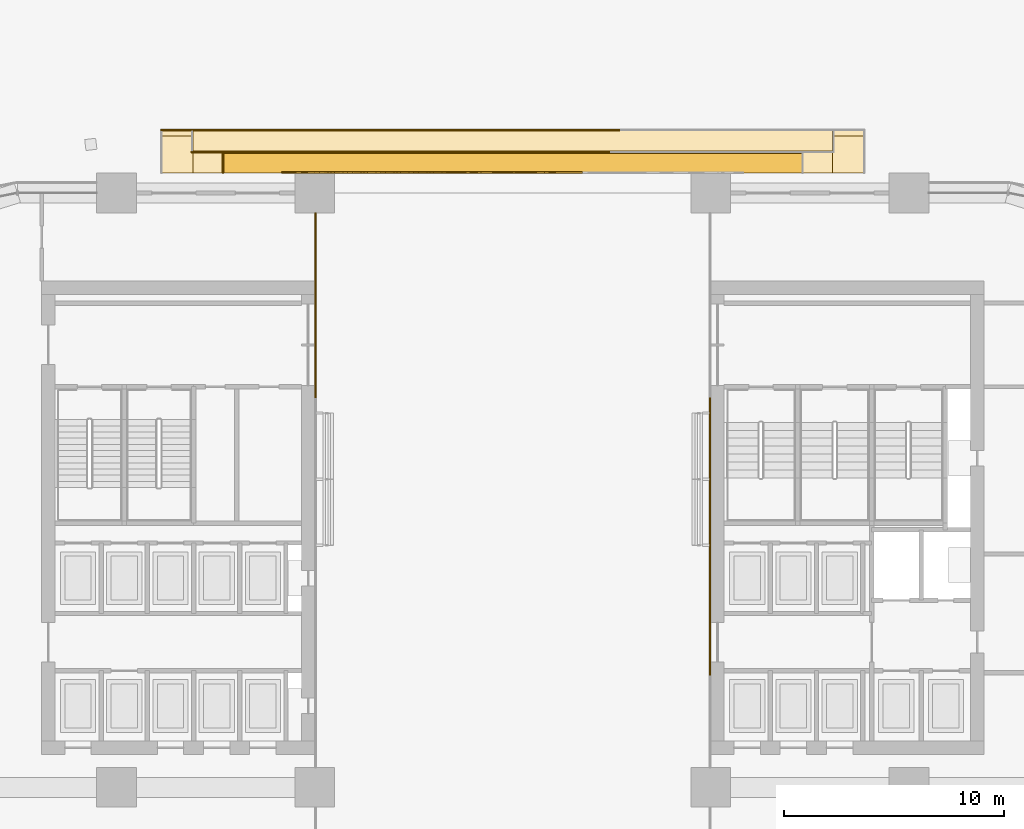
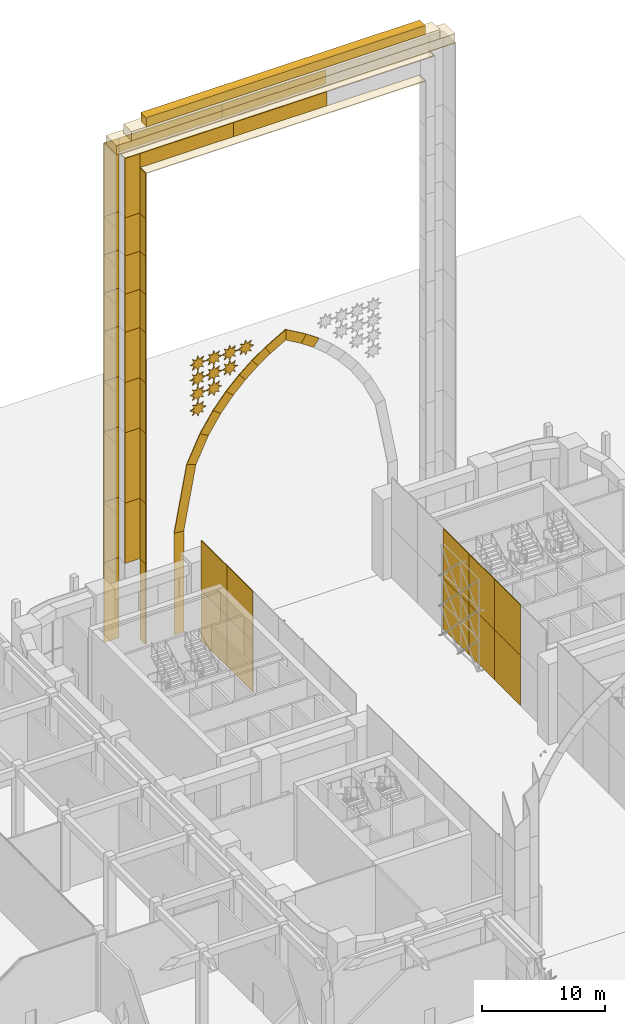
# One storey, part 59 of 64: 67 coverings.
"""IFC4 building model written with IfcOpenShell, lengths in metres."""

import ifcopenshell
import ifcopenshell.guid

model = None  # the IFC model being written
_history = None  # IfcOwnerHistory: only IFC2X3 demands one
_inside = {}  # id of a spatial element -> (the spatial element, [elements in it])
_under = {}  # id of a project, library or spatial element -> (it, [spatial elements below it])
_declared = {}  # id of a project -> (the project, [libraries it declares])
_typed = {}  # id of a type object -> (the type object, [elements of that type])
_made_of = {}  # id of a material, layer set ... -> (it, [elements and type objects made of it])


def new_model(schema):
    """Start an empty IFC model of exactly this schema.

    Asked for "IFC4X3", IfcOpenShell would pick the latest addendum, in which some entities
    have other attributes; the version numbers below select the first issue.
    IFC2X3 requires an IfcOwnerHistory on every rooted entity: one is made here for all.
    """
    global model, _history
    if schema == "IFC4X3":
        model = ifcopenshell.file(schema_version=(4, 3, 0, 0))
    else:
        model = ifcopenshell.file(schema=schema)
    _inside.clear()
    _under.clear()
    _declared.clear()
    _typed.clear()
    _made_of.clear()
    _history = None
    if model.schema == "IFC2X3":
        org = make("IfcOrganization", Name="unknown")
        user = make(
            "IfcPersonAndOrganization",
            ThePerson=make("IfcPerson", FamilyName="unknown"),
            TheOrganization=org,
        )
        app = make(
            "IfcApplication",
            ApplicationDeveloper=org,
            Version="unknown",
            ApplicationFullName="unknown",
            ApplicationIdentifier="unknown",
        )
        _history = make(
            "IfcOwnerHistory",
            OwningUser=user,
            OwningApplication=app,
            ChangeAction="ADDED",
            CreationDate=0,
        )
    return model


def make(cls, **values):
    """One entity of the class cls with the attributes given. An attribute that is None is left unset."""
    return model.create_entity(
        cls, **{name: value for name, value in values.items() if value is not None}
    )


def rooted(cls, **values):
    """An entity with a GlobalId (a new one), such as an element, a storey or a relation."""
    return make(cls, GlobalId=ifcopenshell.guid.new(), OwnerHistory=_history, **values)


def si_unit(unit_type, name, prefix=None):
    """IfcSIUnit, for example si_unit("LENGTHUNIT", "METRE", prefix="MILLI")."""
    return make("IfcSIUnit", UnitType=unit_type, Prefix=prefix, Name=name)


def assignment(units):
    """IfcUnitAssignment: the units of a project."""
    return None if units is None else make("IfcUnitAssignment", Units=units)


def point(xyz):
    """IfcCartesianPoint."""
    return None if xyz is None else make("IfcCartesianPoint", Coordinates=xyz)


def direction(xyz):
    """IfcDirection."""
    return None if xyz is None else make("IfcDirection", DirectionRatios=xyz)


def frame(location, z_axis=None, x_axis=None):
    """IfcAxis2Placement3D, a coordinate frame: its origin and axes. An axis left out is left unset."""
    return make(
        "IfcAxis2Placement3D",
        Location=point(location),
        Axis=direction(z_axis),
        RefDirection=direction(x_axis),
    )


def frame_2d(location, x_axis=None):
    """IfcAxis2Placement2D, a coordinate frame in the plane: its origin and x axis."""
    return make(
        "IfcAxis2Placement2D", Location=point(location), RefDirection=direction(x_axis)
    )


def origin():
    """The frame at (0, 0, 0) with its axes left unset."""
    return frame((0.0, 0.0, 0.0))


def origin_2d():
    """The frame at (0, 0) in the plane with its x axis left unset."""
    return frame_2d((0.0, 0.0))


def place(relative_to, where):
    """IfcLocalPlacement: puts the frame where relative to a parent placement (None: the world)."""
    return make(
        "IfcLocalPlacement", PlacementRelTo=relative_to, RelativePlacement=where
    )


def context(
    kind, dimensions, precision=None, world=None, true_north=None, identifier=None
):
    """IfcGeometricRepresentationContext, for example the 3D "Model" context."""
    return make(
        "IfcGeometricRepresentationContext",
        ContextIdentifier=identifier,
        ContextType=kind,
        CoordinateSpaceDimension=dimensions,
        Precision=precision,
        WorldCoordinateSystem=world,
        TrueNorth=true_north,
    )


def subcontext(parent, identifier, kind, view, scale=None):
    """IfcGeometricRepresentationSubContext, for example "Body" below "Model"."""
    return make(
        "IfcGeometricRepresentationSubContext",
        ContextIdentifier=identifier,
        ContextType=kind,
        ParentContext=parent,
        TargetScale=scale,
        TargetView=view,
    )


def project(units=None, contexts=None):
    """IfcProject with its units and contexts."""
    return rooted(
        "IfcProject",
        Name="project",
        RepresentationContexts=contexts,
        UnitsInContext=assignment(units),
    )


def spatial(cls, under=None, at=None, **own):
    """A site, building, storey or space (cls), placed at a placement, below another one or the project."""
    s = rooted(cls, ObjectPlacement=at, **own)
    if under is not None:
        _under.setdefault(under.id(), (under, []))[1].append(s)
    return s


def polyline(points):
    """IfcPolyline through the points."""
    return make("IfcPolyline", Points=[point(p) for p in points])


def profile(cls, at=None, kind="AREA", **sizes):
    """A parametric profile (cls). Its sizes go by their IFC names, for example OverallWidth=200.0."""
    return make(cls, ProfileType=kind, Position=at, **sizes)


def rectangle(**sizes):
    """IfcRectangleProfileDef."""
    return profile("IfcRectangleProfileDef", **sizes)


def outline(outer, holes=None, kind="AREA"):
    """IfcArbitraryClosedProfileDef: a profile drawn as a closed curve; with holes, ...WithVoids."""
    if holes is None:
        return make("IfcArbitraryClosedProfileDef", ProfileType=kind, OuterCurve=outer)
    return make(
        "IfcArbitraryProfileDefWithVoids",
        ProfileType=kind,
        OuterCurve=outer,
        InnerCurves=holes,
    )


def extrude(swept, where, along, depth):
    """IfcExtrudedAreaSolid: the profile swept, set in the frame where, extruded along a direction by depth."""
    return make(
        "IfcExtrudedAreaSolid",
        SweptArea=swept,
        Position=where,
        ExtrudedDirection=direction(along),
        Depth=depth,
    )


def shape(context_of_items, identifier, shape_type, items):
    """IfcShapeRepresentation: the items that make up one representation, for example the "Body"."""
    return make(
        "IfcShapeRepresentation",
        ContextOfItems=context_of_items,
        RepresentationIdentifier=identifier,
        RepresentationType=shape_type,
        Items=items,
    )


def material(Name=None, Category=None):
    """IfcMaterial."""
    return make("IfcMaterial", Name=Name, Category=Category)


def layer(
    of_material, thickness, ventilated=None, Name=None, Category=None, Priority=None
):
    """IfcMaterialLayer: one layer of a wall or slab, of a material (None: an air gap)."""
    return make(
        "IfcMaterialLayer",
        Material=of_material,
        LayerThickness=thickness,
        IsVentilated=ventilated,
        Name=Name,
        Category=Category,
        Priority=Priority,
    )


def layer_set(layers, Name=None):
    """IfcMaterialLayerSet."""
    return make("IfcMaterialLayerSet", MaterialLayers=layers, LayerSetName=Name)


def made_of(thing, what):
    """Note that an element or type object is made of a material, layer set ...; save() writes the relation."""
    if what is not None:
        _made_of.setdefault(what.id(), (what, []))[1].append(thing)
    return thing


def type_object(cls, material=None, **own):
    """A type object (cls), such as IfcWallType, which elements share."""
    return made_of(rooted(cls, **own), material)


def element(
    cls,
    number,
    at=None,
    inside=None,
    cuts=None,
    type_object=None,
    material=None,
    context=None,
    identifier="Body",
    shape_type=None,
    held_by="IfcProductDefinitionShape",
    body=None,
    shapes=None,
    **own,
):
    """One element of the class cls, such as IfcWall. Its Tag is "e" and its number.

    at: its placement. inside: the storey or other place that contains it. cuts: it is an
    opening in that element (IfcRelVoidsElement). A single representation is given by context,
    identifier, shape_type and body (its items); several are given by shapes. held_by: the class
    of the entity that holds the representations. save() writes the other relations.
    """
    e = rooted(cls, Tag="e%d" % number, ObjectPlacement=at, **own)
    if body is not None:
        shapes = [shape(context, identifier, shape_type, body)]
    if shapes is not None:
        e.Representation = make(held_by, Representations=shapes)
    if inside is not None:
        _inside.setdefault(inside.id(), (inside, []))[1].append(e)
    if cuts is not None:
        rooted(
            "IfcRelVoidsElement", RelatingBuildingElement=cuts, RelatedOpeningElement=e
        )
    if type_object is not None:
        _typed.setdefault(type_object.id(), (type_object, []))[1].append(e)
    return made_of(e, material)


def aggregate(whole, parts):
    """IfcRelAggregates: a whole, such as a stair, and the parts it consists of."""
    return rooted("IfcRelAggregates", RelatingObject=whole, RelatedObjects=parts)


def save(model, path):
    """Write the relations noted so far, then the file.

    IfcRelAggregates (storeys below a building ...), IfcRelContainedInSpatialStructure (elements
    in a storey), IfcRelDefinesByType, IfcRelAssociatesMaterial and IfcRelDeclares: one each for
    every whole, place, type object, material and project.
    """
    for whole, parts in _under.values():
        aggregate(whole, parts)
    for where, things in _inside.values():
        rooted(
            "IfcRelContainedInSpatialStructure",
            RelatedElements=things,
            RelatingStructure=where,
        )
    for kind, things in _typed.values():
        rooted("IfcRelDefinesByType", RelatedObjects=things, RelatingType=kind)
    for what, things in _made_of.values():
        rooted("IfcRelAssociatesMaterial", RelatedObjects=things, RelatingMaterial=what)
    for by, libraries in _declared.values():
        rooted("IfcRelDeclares", RelatingContext=by, RelatedDefinitions=libraries)
    model.write(path)


model = new_model("IFC4")

# Units and contexts
model_context = context("Model", 3, precision=1e-05, world=origin(), true_north=direction((0.0, 1.0)))
body_context = subcontext(model_context, "Body", "Model", "MODEL_VIEW")
ifc_project = project(units=[si_unit("LENGTHUNIT", "METRE"), si_unit("AREAUNIT", "SQUARE_METRE"), si_unit("VOLUMEUNIT", "CUBIC_METRE"), si_unit("PLANEANGLEUNIT", "RADIAN"), si_unit("MASSUNIT", "GRAM", prefix="KILO")], contexts=[model_context])

# Site, building, storey
site_placement = place(None, origin())
site = spatial("IfcSite", under=ifc_project, at=site_placement, CompositionType="ELEMENT")
building_placement = place(site_placement, origin())
building = spatial("IfcBuilding", under=site, at=building_placement, Name="Tessera Arch", CompositionType="ELEMENT")
storey_placement = place(building_placement, origin())
storey = spatial("IfcBuildingStorey", under=building, at=storey_placement, Name="L00", CompositionType="ELEMENT", Elevation=0.0)

# Coverings
ifc_material = material(Name="Aluminium cladding pale metal anodised", Category="aluminium")
ifc_layer = layer(ifc_material, 0.070068359375)
ifc_layer_set = layer_set([ifc_layer], Name="Arch jamb panel")
covering_type = type_object("IfcCoveringType", Name="Arch jamb panel", PredefinedType="CLADDING", material=ifc_layer_set)
for number, where, z_axis, x_axis, name in (
    (1, (18.034912109375, 46.800048828125, 0.0), (0.0, 0.0, 1.0), (1.0, 0.0, 0.0), "Arch jamb panel W1-11"),
    (2, (18.034912109375, 51.0, 0.0), (0.0, 0.0, 1.0), (1.0, 0.0, 0.0), "Arch jamb panel W1-12"),
    (3, (18.034912109375, 46.800048828125, 5.0), (0.0, 0.0, 1.0), (1.0, 0.0, 0.0), "Arch jamb panel W2-11"),
    (4, (18.034912109375, 51.0, 5.0), (0.0, 0.0, 1.0), (1.0, 0.0, 0.0), "Arch jamb panel W2-12"),
    (5, (35.965087890625, 34.199951171875, 0.0), (0.0, 0.0, 1.0), (1.0, 0.0, 0.0), "Arch jamb panel E1-8"),
    (6, (35.965087890625, 38.39990234375, 0.0), (0.0, 0.0, 1.0), (1.0, 0.0, 0.0), "Arch jamb panel E1-9"),
    (7, (35.965087890625, 42.60009765625, 0.0), (0.0, 0.0, 1.0), (1.0, 0.0, 0.0), "Arch jamb panel E1-10"),
    (8, (35.965087890625, 34.199951171875, 5.0), (0.0, 0.0, 1.0), (1.0, 0.0, 0.0), "Arch jamb panel E2-8"),
    (9, (35.965087890625, 38.39990234375, 5.0), (0.0, 0.0, 1.0), (1.0, 0.0, 0.0), "Arch jamb panel E2-9"),
    (10, (35.965087890625, 42.60009765625, 5.0), (0.0, 0.0, 1.0), (1.0, 0.0, 0.0), "Arch jamb panel E2-10"),
):
    element("IfcCovering", number, at=place(storey_placement, frame(where, z_axis=z_axis, x_axis=x_axis)), inside=storey, type_object=covering_type, Name=name, PredefinedType="CLADDING", context=body_context, shape_type="SweptSolid", body=[
        extrude(rectangle(XDim=0.070068359375, YDim=4.199951171875, at=origin_2d()), origin(), (0.0, 0.0, 1.0), 5.0),
    ])
covering_1_placement = place(storey_placement, frame((17.39990234375, 54.89990234375, 0.0), z_axis=(0.0, -1.0, 0.0), x_axis=(0.0, 0.0, 1.0)))
element("IfcCovering", 11, at=covering_1_placement, inside=storey, type_object=covering_type, Name="Arch surround panel N1", PredefinedType="CLADDING", context=body_context, shape_type="SweptSolid", body=[
    extrude(outline(polyline([(0.0, 0.0), (10.054931640625, 0.0), (10.1376953125, 0.89990234375), (0.0, 0.89990234375), (0.0, 0.0)])), origin(), (0.0, 0.0, -1.0), 0.070068359375),
])
covering_2_placement = place(storey_placement, frame((17.39990234375, 54.89990234375, 10.054931640625), z_axis=(0.0, -1.0, 0.0), x_axis=(0.18191768298, 0.0, 0.983313763058)))
element("IfcCovering", 12, at=covering_2_placement, inside=storey, type_object=covering_type, Name="Arch surround panel N2", PredefinedType="CLADDING", context=body_context, shape_type="SweptSolid", body=[
    extrude(outline(polyline([(0.0, 0.0), (6.318319602970845, 0.0), (6.436105592717143, 0.8999698552119401), (-0.08232549164743411, 0.8999425354398937), (0.0, 0.0)])), origin(), (0.0, 0.0, -1.0), 0.070068359375),
])
covering_3_placement = place(storey_placement, frame((18.54931640625, 54.89990234375, 16.267822265625), z_axis=(0.0, -1.0, 0.0), x_axis=(0.428717371421, 0.0, 0.903438661693)))
element("IfcCovering", 13, at=covering_3_placement, inside=storey, type_object=covering_type, Name="Arch surround panel N3", PredefinedType="CLADDING", context=body_context, shape_type="SweptSolid", body=[
    extrude(outline(polyline([(0.0, 0.0), (2.743694586835131, 0.0), (2.806006296546847, 0.8999958713273912), (-0.1176601745794606, 0.8999863126673907), (0.0, 0.0)])), origin(), (0.0, 0.0, -1.0), 0.070068359375),
])
covering_4_placement = place(storey_placement, frame((19.7255859375, 54.89990234375, 18.74658203125), z_axis=(0.0, -1.0, 0.0), x_axis=(0.548616303772, 0.0, 0.836074249834)))
element("IfcCovering", 14, at=covering_4_placement, inside=storey, type_object=covering_type, Name="Arch surround panel N4", PredefinedType="CLADDING", context=body_context, shape_type="SweptSolid", body=[
    extrude(outline(polyline([(0.0, 0.0), (2.125820464333652, 0.0), (2.1761967271480804, 0.9000286217130683), (-0.061758458984110254, 0.9000340050895052), (0.0, 0.0)])), origin(), (0.0, 0.0, -1.0), 0.070068359375),
])
covering_5_placement = place(storey_placement, frame((20.891845703125, 54.89990234375, 20.52392578125), z_axis=(0.0, -1.0, 0.0), x_axis=(0.638709039089, 0.0, 0.769448350044)))
element("IfcCovering", 15, at=covering_5_placement, inside=storey, type_object=covering_type, Name="Arch surround panel N5", PredefinedType="CLADDING", context=body_context, shape_type="SweptSolid", body=[
    extrude(outline(polyline([(0.0, 0.0), (1.8244351211735683, 0.0), (1.8687992810096437, 0.8998632459982077), (-0.05063183806344307, 0.9000142802934801), (0.0, 0.0)])), origin(), (0.0, 0.0, -1.0), 0.070068359375),
])
covering_6_placement = place(storey_placement, frame((22.05712890625, 54.89990234375, 21.927734375), z_axis=(0.0, -1.0, 0.0), x_axis=(0.711266998318, 0.0, 0.702921942398)))
element("IfcCovering", 16, at=covering_6_placement, inside=storey, type_object=covering_type, Name="Arch surround panel N6", PredefinedType="CLADDING", context=body_context, shape_type="SweptSolid", body=[
    extrude(outline(polyline([(0.0, 0.0), (1.6383203577295518, 0.0), (1.6785854271746476, 0.9000190251185826), (-0.04432590602638553, 0.8998651311342893), (0.0, 0.0)])), origin(), (0.0, 0.0, -1.0), 0.070068359375),
])
covering_7_placement = place(storey_placement, frame((23.222412109375, 54.89990234375, 23.079345703125), z_axis=(0.0, -1.0, 0.0), x_axis=(0.77114114952, 0.0, 0.636664218813)))
element("IfcCovering", 17, at=covering_7_placement, inside=storey, type_object=covering_type, Name="Arch surround panel N7", PredefinedType="CLADDING", context=body_context, shape_type="SweptSolid", body=[
    extrude(outline(polyline([(0.0, 0.0), (1.5104821245764068, 0.0), (1.5480041758901617, 0.899815151148555), (-0.04018959296900365, 0.9000223986156167), (0.0, 0.0)])), origin(), (0.0, 0.0, -1.0), 0.070068359375),
])
covering_8_placement = place(storey_placement, frame((24.38720703125, 54.89990234375, 24.041015625), z_axis=(0.0, -1.0, 0.0), x_axis=(0.821522285678, 0.0, 0.570176406154)))
element("IfcCovering", 18, at=covering_8_placement, inside=storey, type_object=covering_type, Name="Arch surround panel N8", PredefinedType="CLADDING", context=body_context, shape_type="SweptSolid", body=[
    extrude(outline(polyline([(0.0, 0.0), (1.41814663194253, -1.1102230246251565e-16), (1.453483572139, 0.9000038193718571), (-0.03760571738248508, 0.8998116583993774), (0.0, 0.0)])), origin(), (0.0, 0.0, -1.0), 0.070068359375),
])
covering_9_placement = place(storey_placement, frame((25.55224609375, 54.89990234375, 24.849609375), z_axis=(0.0, -1.0, 0.0), x_axis=(0.863662665419, 0.0, 0.504070233561)))
element("IfcCovering", 19, at=covering_9_placement, inside=storey, type_object=covering_type, Name="Arch surround panel N9", PredefinedType="CLADDING", context=body_context, shape_type="SweptSolid", body=[
    extrude(outline(polyline([(0.0, 0.0), (1.6762955772183172, -1.1102230246251565e-16), (2.2016558865616047, 0.9001406051446673), (-0.03527357639608997, 0.9000063049971421), (0.0, 0.0)])), origin(), (0.0, 0.0, -1.0), 0.070068359375),
])
covering_10_placement = place(storey_placement, frame((27.0, 54.89990234375, 25.694580078125), z_axis=(0.0, -1.0, 0.0), x_axis=(0.863662665419, 0.0, -0.504070233561)))
element("IfcCovering", 20, at=covering_10_placement, inside=storey, type_object=covering_type, Name="Arch surround panel N10", PredefinedType="CLADDING", context=body_context, shape_type="SweptSolid", body=[
    extrude(outline(polyline([(0.0, 0.0), (1.6762955772183172, 1.1102230246251565e-16), (1.7115691536144073, 0.9000063049971423), (-0.5253603093432875, 0.9001406051446675), (0.0, 0.0)])), origin(), (0.0, 0.0, -1.0), 0.070068359375),
])
covering_11_placement = place(storey_placement, frame((28.44775390625, 54.89990234375, 24.849609375), z_axis=(0.0, -1.0, 0.0), x_axis=(0.821522285678, 0.0, -0.570176406154)))
element("IfcCovering", 21, at=covering_11_placement, inside=storey, type_object=covering_type, Name="Arch surround panel N11", PredefinedType="CLADDING", context=body_context, shape_type="SweptSolid", body=[
    extrude(outline(polyline([(0.0, 0.0), (1.41814663194253, 1.1102230246251565e-16), (1.455752349325015, 0.8998116583993775), (-0.03533694019646988, 0.9000038193718572), (0.0, 0.0)])), origin(), (0.0, 0.0, -1.0), 0.070068359375),
])
covering_12_placement = place(storey_placement, frame((11.699951171875, 56.864990234375, 0.0), z_axis=(0.0, 0.0, 1.0), x_axis=(1.0, 0.0, 0.0)))
element("IfcCovering", 22, at=covering_12_placement, inside=storey, type_object=covering_type, Name="Gate frame panel N1", PredefinedType="CLADDING", context=body_context, shape_type="SweptSolid", body=[
    extrude(rectangle(XDim=1.39990234375, YDim=0.070068359375, at=origin_2d()), origin(), (0.0, 0.0, 1.0), 8.0),
])
covering_13_placement = place(storey_placement, frame((11.699951171875, 56.864990234375, 8.0), z_axis=(0.0, 0.0, 1.0), x_axis=(1.0, 0.0, 0.0)))
element("IfcCovering", 23, at=covering_13_placement, inside=storey, type_object=covering_type, Name="Gate frame panel N2", PredefinedType="CLADDING", context=body_context, shape_type="SweptSolid", body=[
    extrude(rectangle(XDim=1.39990234375, YDim=0.070068359375, at=origin_2d()), origin(), (0.0, 0.0, 1.0), 6.0),
])
covering_14_placement = place(storey_placement, frame((11.699951171875, 56.864990234375, 14.0), z_axis=(0.0, 0.0, 1.0), x_axis=(1.0, 0.0, 0.0)))
element("IfcCovering", 24, at=covering_14_placement, inside=storey, type_object=covering_type, Name="Gate frame panel N3", PredefinedType="CLADDING", context=body_context, shape_type="SweptSolid", body=[
    extrude(rectangle(XDim=1.39990234375, YDim=0.070068359375, at=origin_2d()), origin(), (0.0, 0.0, 1.0), 7.0),
])
for number, where, z_axis, x_axis, name in (
    (25, (11.699951171875, 56.864990234375, 21.0), (0.0, 0.0, 1.0), (1.0, 0.0, 0.0), "Gate frame panel N4"),
    (26, (11.699951171875, 56.864990234375, 26.0), (0.0, 0.0, 1.0), (1.0, 0.0, 0.0), "Gate frame panel N5"),
):
    element("IfcCovering", number, at=place(storey_placement, frame(where, z_axis=z_axis, x_axis=x_axis)), inside=storey, type_object=covering_type, Name=name, PredefinedType="CLADDING", context=body_context, shape_type="SweptSolid", body=[
        extrude(rectangle(XDim=1.39990234375, YDim=0.070068359375, at=origin_2d()), origin(), (0.0, 0.0, 1.0), 5.0),
    ])
for number, where, z_axis, x_axis, name in (
    (27, (11.699951171875, 56.864990234375, 31.0), (0.0, 0.0, 1.0), (1.0, 0.0, 0.0), "Gate frame panel N6"),
    (28, (11.699951171875, 56.864990234375, 34.7998046875), (0.0, 0.0, 1.0), (1.0, 0.0, 0.0), "Gate frame panel N7"),
    (29, (11.699951171875, 56.864990234375, 38.60009765625), (0.0, 0.0, 1.0), (1.0, 0.0, 0.0), "Gate frame panel N8"),
):
    element("IfcCovering", number, at=place(storey_placement, frame(where, z_axis=z_axis, x_axis=x_axis)), inside=storey, type_object=covering_type, Name=name, PredefinedType="CLADDING", context=body_context, shape_type="SweptSolid", body=[
        extrude(rectangle(XDim=1.39990234375, YDim=0.070068359375, at=origin_2d()), origin(), (0.0, 0.0, 1.0), 3.800048828125),
    ])
covering_15_placement = place(storey_placement, frame((11.699951171875, 56.864990234375, 42.39990234375), z_axis=(0.0, 0.0, 1.0), x_axis=(1.0, 0.0, 0.0)))
element("IfcCovering", 30, at=covering_15_placement, inside=storey, type_object=covering_type, Name="Gate frame panel N9", PredefinedType="CLADDING", context=body_context, shape_type="SweptSolid", body=[
    extrude(rectangle(XDim=1.39990234375, YDim=0.070068359375, at=origin_2d()), origin(), (0.0, 0.0, 1.0), 7.300048828125),
])
for number, where, z_axis, x_axis, name in (
    (31, (17.2666015625, 56.864990234375, 48.300048828125), (0.0, 0.0, 1.0), (1.0, 0.0, 0.0), "Gate frame panel N19"),
    (32, (27.0, 56.864990234375, 48.300048828125), (0.0, 0.0, 1.0), (1.0, 0.0, 0.0), "Gate frame panel N20"),
):
    element("IfcCovering", number, at=place(storey_placement, frame(where, z_axis=z_axis, x_axis=x_axis)), inside=storey, type_object=covering_type, Name=name, PredefinedType="CLADDING", context=body_context, shape_type="SweptSolid", body=[
        extrude(rectangle(XDim=9.7333984375, YDim=0.070068359375, at=origin_2d()), origin(), (0.0, 0.0, 1.0), 1.39990234375),
    ])
covering_16_placement = place(storey_placement, frame((27.0, 55.864990234375, 49.6298828125), z_axis=(0.0, 0.0, 1.0), x_axis=(1.0, 0.0, 0.0)))
element("IfcCovering", 33, at=covering_16_placement, inside=storey, type_object=covering_type, Name="Gate frame reveal N40", PredefinedType="CLADDING", context=body_context, shape_type="SweptSolid", body=[
    extrude(rectangle(XDim=31.860107421875, YDim=1.929931640625, at=origin_2d()), origin(), (0.0, 0.0, 1.0), 0.070068359375),
])
covering_17_placement = place(storey_placement, frame((27.0, 56.364990234375, 48.22998046875), z_axis=(0.0, 0.0, 1.0), x_axis=(1.0, 0.0, 0.0)))
element("IfcCovering", 34, at=covering_17_placement, inside=storey, type_object=covering_type, Name="Gate frame reveal N59", PredefinedType="CLADDING", context=body_context, shape_type="SweptSolid", body=[
    extrude(rectangle(XDim=29.06005859375, YDim=0.929931640625, at=origin_2d()), origin(), (0.0, 0.0, 1.0), 0.070068359375),
])
covering_18_placement = place(storey_placement, frame((13.10009765625, 55.864990234375, 8.0), z_axis=(0.0, 0.0, 1.0), x_axis=(1.0, 0.0, 0.0)))
element("IfcCovering", 35, at=covering_18_placement, inside=storey, type_object=covering_type, Name="Gate frame panel N61", PredefinedType="CLADDING", context=body_context, shape_type="SweptSolid", body=[
    extrude(rectangle(XDim=1.39990234375, YDim=0.070068359375, at=origin_2d()), origin(), (0.0, 0.0, 1.0), 6.0),
])
covering_19_placement = place(storey_placement, frame((13.10009765625, 55.864990234375, 14.0), z_axis=(0.0, 0.0, 1.0), x_axis=(1.0, 0.0, 0.0)))
element("IfcCovering", 36, at=covering_19_placement, inside=storey, type_object=covering_type, Name="Gate frame panel N62", PredefinedType="CLADDING", context=body_context, shape_type="SweptSolid", body=[
    extrude(rectangle(XDim=1.39990234375, YDim=0.070068359375, at=origin_2d()), origin(), (0.0, 0.0, 1.0), 7.0),
])
for number, where, z_axis, x_axis, name in (
    (37, (13.10009765625, 55.864990234375, 21.0), (0.0, 0.0, 1.0), (1.0, 0.0, 0.0), "Gate frame panel N63"),
    (38, (13.10009765625, 55.864990234375, 26.0), (0.0, 0.0, 1.0), (1.0, 0.0, 0.0), "Gate frame panel N64"),
):
    element("IfcCovering", number, at=place(storey_placement, frame(where, z_axis=z_axis, x_axis=x_axis)), inside=storey, type_object=covering_type, Name=name, PredefinedType="CLADDING", context=body_context, shape_type="SweptSolid", body=[
        extrude(rectangle(XDim=1.39990234375, YDim=0.070068359375, at=origin_2d()), origin(), (0.0, 0.0, 1.0), 5.0),
    ])
for number, where, z_axis, x_axis, name in (
    (39, (13.10009765625, 55.864990234375, 31.0), (0.0, 0.0, 1.0), (1.0, 0.0, 0.0), "Gate frame panel N65"),
    (40, (13.10009765625, 55.864990234375, 34.7998046875), (0.0, 0.0, 1.0), (1.0, 0.0, 0.0), "Gate frame panel N66"),
    (41, (13.10009765625, 55.864990234375, 38.60009765625), (0.0, 0.0, 1.0), (1.0, 0.0, 0.0), "Gate frame panel N67"),
):
    element("IfcCovering", number, at=place(storey_placement, frame(where, z_axis=z_axis, x_axis=x_axis)), inside=storey, type_object=covering_type, Name=name, PredefinedType="CLADDING", context=body_context, shape_type="SweptSolid", body=[
        extrude(rectangle(XDim=1.39990234375, YDim=0.070068359375, at=origin_2d()), origin(), (0.0, 0.0, 1.0), 3.800048828125),
    ])
covering_20_placement = place(storey_placement, frame((13.10009765625, 55.864990234375, 42.400146484375), z_axis=(0.0, 0.0, 1.0), x_axis=(1.0, 0.0, 0.0)))
element("IfcCovering", 42, at=covering_20_placement, inside=storey, type_object=covering_type, Name="Gate frame panel N68", PredefinedType="CLADDING", context=body_context, shape_type="SweptSolid", body=[
    extrude(rectangle(XDim=1.39990234375, YDim=0.070068359375, at=origin_2d()), origin(), (0.0, 0.0, 1.0), 5.89990234375),
])
for number, where, z_axis, x_axis, name in (
    (43, (18.199951171875, 55.864990234375, 46.900146484375), (0.0, 0.0, 1.0), (1.0, 0.0, 0.0), "Gate frame panel N78"),
    (44, (27.0, 55.864990234375, 46.900146484375), (0.0, 0.0, 1.0), (1.0, 0.0, 0.0), "Gate frame panel N79"),
):
    element("IfcCovering", number, at=place(storey_placement, frame(where, z_axis=z_axis, x_axis=x_axis)), inside=storey, type_object=covering_type, Name=name, PredefinedType="CLADDING", context=body_context, shape_type="SweptSolid", body=[
        extrude(rectangle(XDim=8.800048828125, YDim=0.070068359375, at=origin_2d()), origin(), (0.0, 0.0, 1.0), 1.39990234375),
    ])
covering_21_placement = place(storey_placement, frame((13.8349609375, 55.364990234375, 0.0), z_axis=(0.0, 0.0, 1.0), x_axis=(1.0, 0.0, 0.0)))
element("IfcCovering", 45, at=covering_21_placement, inside=storey, type_object=covering_type, Name="Gate frame reveal N81", PredefinedType="CLADDING", context=body_context, shape_type="SweptSolid", body=[
    extrude(rectangle(XDim=0.070068359375, YDim=0.929931640625, at=origin_2d()), origin(), (0.0, 0.0, 1.0), 8.0),
])
covering_22_placement = place(storey_placement, frame((13.8349609375, 55.364990234375, 8.0), z_axis=(0.0, 0.0, 1.0), x_axis=(1.0, 0.0, 0.0)))
element("IfcCovering", 46, at=covering_22_placement, inside=storey, type_object=covering_type, Name="Gate frame reveal N82", PredefinedType="CLADDING", context=body_context, shape_type="SweptSolid", body=[
    extrude(rectangle(XDim=0.070068359375, YDim=0.929931640625, at=origin_2d()), origin(), (0.0, 0.0, 1.0), 6.0),
])
covering_23_placement = place(storey_placement, frame((13.8349609375, 55.364990234375, 14.0), z_axis=(0.0, 0.0, 1.0), x_axis=(1.0, 0.0, 0.0)))
element("IfcCovering", 47, at=covering_23_placement, inside=storey, type_object=covering_type, Name="Gate frame reveal N83", PredefinedType="CLADDING", context=body_context, shape_type="SweptSolid", body=[
    extrude(rectangle(XDim=0.070068359375, YDim=0.929931640625, at=origin_2d()), origin(), (0.0, 0.0, 1.0), 7.0),
])
for number, where, z_axis, x_axis, name in (
    (48, (13.8349609375, 55.364990234375, 21.0), (0.0, 0.0, 1.0), (1.0, 0.0, 0.0), "Gate frame reveal N84"),
    (49, (13.8349609375, 55.364990234375, 26.0), (0.0, 0.0, 1.0), (1.0, 0.0, 0.0), "Gate frame reveal N85"),
):
    element("IfcCovering", number, at=place(storey_placement, frame(where, z_axis=z_axis, x_axis=x_axis)), inside=storey, type_object=covering_type, Name=name, PredefinedType="CLADDING", context=body_context, shape_type="SweptSolid", body=[
        extrude(rectangle(XDim=0.070068359375, YDim=0.929931640625, at=origin_2d()), origin(), (0.0, 0.0, 1.0), 5.0),
    ])
for number, where, z_axis, x_axis, name in (
    (50, (13.8349609375, 55.364990234375, 31.0), (0.0, 0.0, 1.0), (1.0, 0.0, 0.0), "Gate frame reveal N86"),
    (51, (13.8349609375, 55.364990234375, 34.7998046875), (0.0, 0.0, 1.0), (1.0, 0.0, 0.0), "Gate frame reveal N87"),
    (52, (13.8349609375, 55.364990234375, 38.60009765625), (0.0, 0.0, 1.0), (1.0, 0.0, 0.0), "Gate frame reveal N88"),
):
    element("IfcCovering", number, at=place(storey_placement, frame(where, z_axis=z_axis, x_axis=x_axis)), inside=storey, type_object=covering_type, Name=name, PredefinedType="CLADDING", context=body_context, shape_type="SweptSolid", body=[
        extrude(rectangle(XDim=0.070068359375, YDim=0.929931640625, at=origin_2d()), origin(), (0.0, 0.0, 1.0), 3.800048828125),
    ])
covering_24_placement = place(storey_placement, frame((13.8349609375, 55.364990234375, 42.39990234375), z_axis=(0.0, 0.0, 1.0), x_axis=(1.0, 0.0, 0.0)))
element("IfcCovering", 53, at=covering_24_placement, inside=storey, type_object=covering_type, Name="Gate frame reveal N89", PredefinedType="CLADDING", context=body_context, shape_type="SweptSolid", body=[
    extrude(rectangle(XDim=0.070068359375, YDim=0.929931640625, at=origin_2d()), origin(), (0.0, 0.0, 1.0), 4.5),
])
covering_25_placement = place(storey_placement, frame((27.0, 55.364990234375, 46.830078125), z_axis=(0.0, 0.0, 1.0), x_axis=(1.0, 0.0, 0.0)))
element("IfcCovering", 54, at=covering_25_placement, inside=storey, type_object=covering_type, Name="Gate frame reveal N99", PredefinedType="CLADDING", context=body_context, shape_type="SweptSolid", body=[
    extrude(rectangle(XDim=26.260009765625, YDim=0.929931640625, at=origin_2d()), origin(), (0.0, 0.0, 1.0), 0.070068359375),
])
covering_26_placement = place(storey_placement, frame((27.0, 55.75, 49.699951171875), z_axis=(0.0, 0.0, 1.0), x_axis=(1.0, 0.0, 0.0)))
element("IfcCovering", 55, at=covering_26_placement, inside=storey, type_object=covering_type, Name="Gate frame corbel N1", PredefinedType="CLADDING", context=body_context, shape_type="SweptSolid", body=[
    extrude(rectangle(XDim=31.860107421875, YDim=1.699951171875, at=origin_2d()), origin(), (0.0, 0.0, 1.0), 0.89990234375),
])
covering_27_placement = place(storey_placement, frame((27.0, 55.550048828125, 50.60009765625), z_axis=(0.0, 0.0, 1.0), x_axis=(1.0, 0.0, 0.0)))
element("IfcCovering", 56, at=covering_27_placement, inside=storey, type_object=covering_type, Name="Gate frame corbel N2", PredefinedType="CLADDING", context=body_context, shape_type="SweptSolid", body=[
    extrude(rectangle(XDim=29.06005859375, YDim=1.300048828125, at=origin_2d()), origin(), (0.0, 0.0, 1.0), 0.89990234375),
])
covering_28_placement = place(storey_placement, frame((27.0, 55.35009765625, 51.5), z_axis=(0.0, 0.0, 1.0), x_axis=(1.0, 0.0, 0.0)))
element("IfcCovering", 57, at=covering_28_placement, inside=storey, type_object=covering_type, Name="Gate frame corbel N3", PredefinedType="CLADDING", context=body_context, shape_type="SweptSolid", body=[
    extrude(rectangle(XDim=26.260009765625, YDim=0.89990234375, at=origin_2d()), origin(), (0.0, 0.0, 1.0), 0.89990234375),
])
for number, where, z_axis, x_axis, name in (
    (58, (19.5, 54.89990234375, 21.75), (0.0, -1.0, 0.0), (-0.942166703865, 0.0, 0.335144598834), "Gate lattice star N1"),
    (59, (19.5, 54.89990234375, 23.25), (0.0, -1.0, 0.0), (-0.942166703865, 0.0, 0.335144598834), "Gate lattice star N3"),
    (60, (21.0, 54.89990234375, 23.25), (0.0, -1.0, 0.0), (-0.942166703865, 0.0, 0.335144598834), "Gate lattice star N4"),
    (61, (19.5, 54.89990234375, 24.75), (0.0, -1.0, 0.0), (-0.942166703865, 0.0, 0.335144598834), "Gate lattice star N7"),
    (62, (21.0, 54.89990234375, 24.75), (0.0, -1.0, 0.0), (-0.942166703865, 0.0, 0.335144598834), "Gate lattice star N8"),
    (63, (22.5, 54.89990234375, 24.75), (0.0, -1.0, 0.0), (-0.942166703865, 0.0, 0.335144598834), "Gate lattice star N9"),
    (64, (19.5, 54.89990234375, 26.25), (0.0, -1.0, 0.0), (-0.942166703865, 0.0, 0.335144598834), "Gate lattice star N13"),
    (65, (21.0, 54.89990234375, 26.25), (0.0, -1.0, 0.0), (-0.942166703865, 0.0, 0.335144598834), "Gate lattice star N14"),
    (66, (22.5, 54.89990234375, 26.25), (0.0, -1.0, 0.0), (-0.942166703865, 0.0, 0.335144598834), "Gate lattice star N15"),
    (67, (24.0, 54.89990234375, 26.25), (0.0, -1.0, 0.0), (-0.942166703865, 0.0, 0.335144598834), "Gate lattice star N16"),
):
    element("IfcCovering", number, at=place(storey_placement, frame(where, z_axis=z_axis, x_axis=x_axis)), inside=storey, type_object=covering_type, Name=name, PredefinedType="CLADDING", context=body_context, shape_type="SweptSolid", body=[
        extrude(outline(polyline([(0.0, 0.0), (0.42833656875090986, 0.0), (0.3847373296255874, -0.42596580611441676), (0.6874785835319573, -0.12315316632834256), (0.9579834770245221, -0.45526657877336735), (0.9579834770245222, -0.02693001002245743), (1.383949283138939, -0.07052924914777992), (1.0811366433528649, 0.2322120047585901), (1.4132500557978895, 0.5027168982511548), (0.9849134870469797, 0.502716898251155), (1.0285127261723022, 0.9286827043655717), (0.7257714722659322, 0.6258700645794975), (0.45526657877336735, 0.9579834770245221), (0.4552665787733673, 0.5296469082736124), (0.029300772658950563, 0.5732461473989348), (0.3321134124450248, 0.2705048934925648), (0.0, 0.0)])), origin(), (0.0, 0.0, -1.0), 0.070068359375),
    ])

save(model, "model.ifc")
